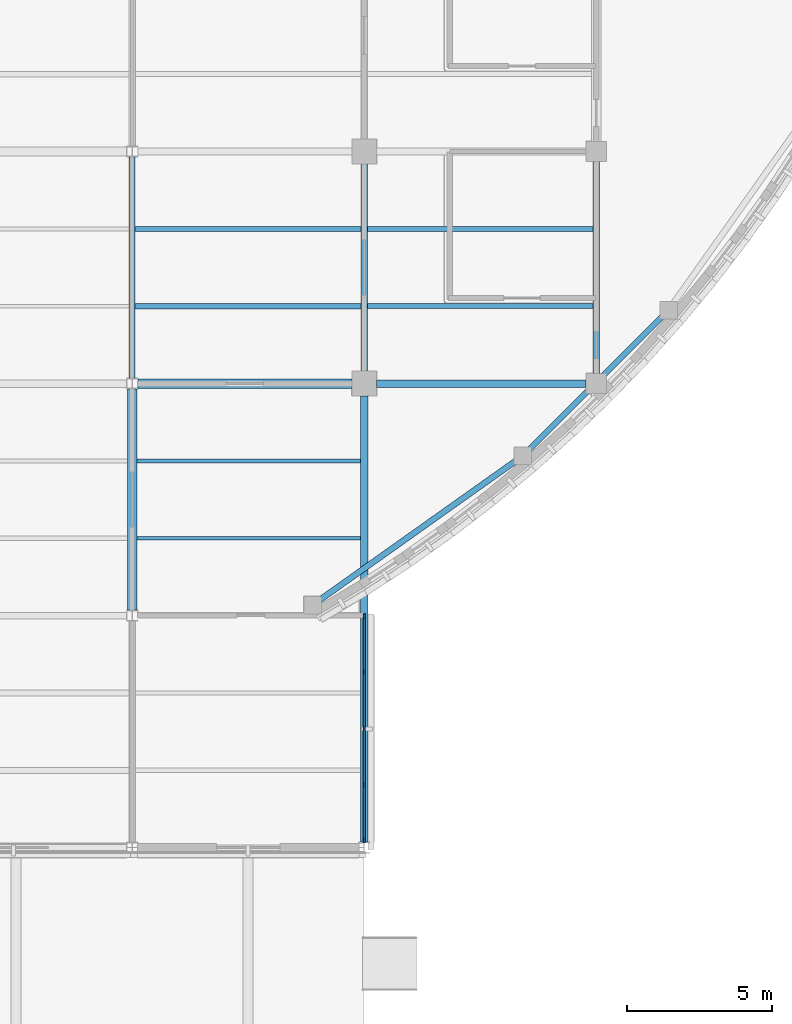
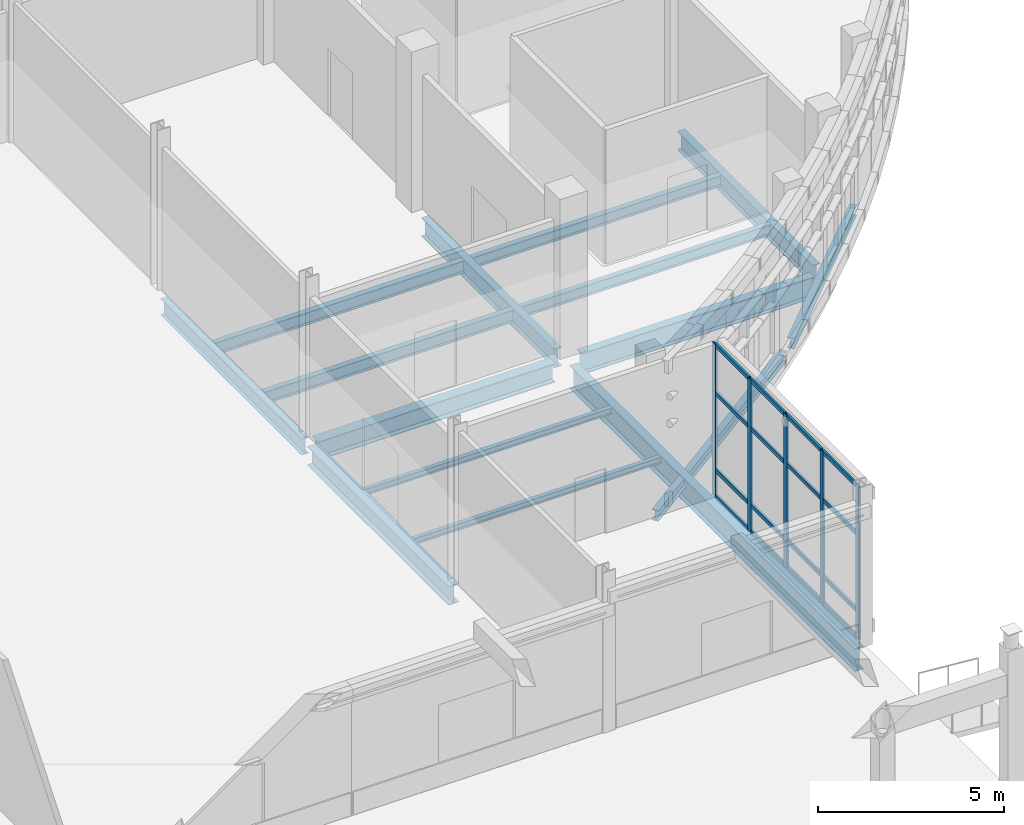
# One storey, part 19 of 105: 21 members, 15 beams, 1 element without a shape of its own.
"""IFC4 building model written with IfcOpenShell, lengths in metres."""

from ifc_helpers import new_model, si_unit, derived_unit, direction, frame, origin, origin_2d, place, context, subcontext, project, spatial, rectangle, i_section, extrude, material, layer, layer_set, material_profile, profile_set, type_object, element, aggregate, save


model = new_model("IFC4")

# Units and contexts
model_context = context("Model", 3, precision=1e-05, world=origin(), true_north=direction((0.0, 1.0)))
body_context = subcontext(model_context, "Body", "Model", "MODEL_VIEW")
ifc_project = project(units=[si_unit("LENGTHUNIT", "METRE"), si_unit("AREAUNIT", "SQUARE_METRE"), si_unit("VOLUMEUNIT", "CUBIC_METRE"), si_unit("PLANEANGLEUNIT", "RADIAN"), si_unit("MASSUNIT", "GRAM", prefix="KILO"), derived_unit("THERMALTRANSMITTANCEUNIT", [(si_unit("MASSUNIT", "GRAM", prefix="KILO"), 1), (si_unit("TIMEUNIT", "SECOND"), -3), (si_unit("THERMODYNAMICTEMPERATUREUNIT", "KELVIN"), -1)])], contexts=[model_context])

# Site, building, storey
site_placement = place(None, origin())
site = spatial("IfcSite", under=ifc_project, at=site_placement, CompositionType="ELEMENT")
building_placement = place(site_placement, origin())
building = spatial("IfcBuilding", under=site, at=building_placement, Name="Veyamyaing Civic Hall", CompositionType="ELEMENT")
storey_placement = place(building_placement, origin())
storey = spatial("IfcBuildingStorey", under=building, at=storey_placement, Name="L00", CompositionType="ELEMENT", Elevation=0.0)

# Beams
ifc_material_1 = material(Name="Steel ASTM A992", Category="steel")
ifc_material_profile_1 = material_profile(ifc_material_1, i_section(OverallWidth=0.256103515625, OverallDepth=0.693115234375, WebThickness=0.014404296875, FlangeThickness=0.023681640625, FilletRadius=0.013916015625, at=origin_2d()), Name="W690X170")
ifc_profile_set_1 = profile_set([ifc_material_profile_1], Name="Steel ASTM A992")
beam_type_1 = type_object("IfcBeamType", Name="B-04", PredefinedType="BEAM", material=ifc_profile_set_1)
beam_1_placement = place(storey_placement, frame((104.425048828125, 24.0, -0.611572265625), z_axis=(1.0, 0.0, 0.0), x_axis=(0.0, 1.0, 0.0)))
element("IfcBeam", 1, at=beam_1_placement, inside=storey, type_object=beam_type_1, Name="Girder B-04 L00 Grid D 14-15", PredefinedType="BEAM", context=body_context, shape_type="SweptSolid", body=[
    extrude(i_section(OverallWidth=0.256103515625, OverallDepth=0.693115234375, WebThickness=0.014404296875, FlangeThickness=0.023681640625, FilletRadius=0.013916015625, at=origin_2d()), origin(), (0.0, 0.0, 1.0), 7.224853515625),
])
ifc_material_profile_2 = material_profile(ifc_material_1, i_section(OverallWidth=0.22998046875, OverallDepth=0.616943359375, WebThickness=0.01318359375, FlangeThickness=0.022216796875, FilletRadius=0.012939453125, at=origin_2d()), Name="W610X140")
ifc_profile_set_2 = profile_set([ifc_material_profile_2], Name="Steel ASTM A992")
beam_type_2 = type_object("IfcBeamType", Name="B-05", PredefinedType="BEAM", material=ifc_profile_set_2)
beam_2_placement = place(storey_placement, frame((104.0, 24.425048828125, -0.573486328125), z_axis=(0.0, 1.0, 0.0), x_axis=(-1.0, 0.0, 0.0)))
element("IfcBeam", 2, at=beam_2_placement, inside=storey, type_object=beam_type_2, Name="Girder B-05 L00 Grid 14 D-E", PredefinedType="BEAM", context=body_context, shape_type="SweptSolid", body=[
    extrude(i_section(OverallWidth=0.22998046875, OverallDepth=0.616943359375, WebThickness=0.01318359375, FlangeThickness=0.022216796875, FilletRadius=0.012939453125, at=origin_2d()), origin(), (0.0, 0.0, 1.0), 7.14990234375),
])
ifc_material_profile_3 = material_profile(ifc_material_1, i_section(OverallWidth=0.22802734375, OverallDepth=0.60791015625, WebThickness=0.01123046875, FlangeThickness=0.017333984375, FilletRadius=0.012939453125, at=origin_2d()), Name="W610X113")
ifc_profile_set_3 = profile_set([ifc_material_profile_3], Name="Steel ASTM A992")
beam_type_3 = type_object("IfcBeamType", Name="B-06", PredefinedType="BEAM", material=ifc_profile_set_3)
beam_3_placement = place(storey_placement, frame((112.0, 24.35009765625, -0.569091796875), z_axis=(0.0, 1.0, 0.0), x_axis=(-1.0, 0.0, 0.0)))
element("IfcBeam", 3, at=beam_3_placement, inside=storey, type_object=beam_type_3, Name="Girder B-06 L00 Grid 15 D-E", PredefinedType="BEAM", context=body_context, shape_type="SweptSolid", body=[
    extrude(i_section(OverallWidth=0.22802734375, OverallDepth=0.60791015625, WebThickness=0.01123046875, FlangeThickness=0.017333984375, FilletRadius=0.012939453125, at=origin_2d()), origin(), (0.0, 0.0, 1.0), 7.2998046875),
])
ifc_material_profile_4 = material_profile(ifc_material_1, i_section(OverallWidth=0.2041015625, OverallDepth=0.35009765625, WebThickness=0.0078125, FlangeThickness=0.01513671875, FilletRadius=0.010009765625, at=origin_2d()), Name="W360X72")
ifc_profile_set_4 = profile_set([ifc_material_profile_4], Name="Steel ASTM A992")
beam_type_4 = type_object("IfcBeamType", Name="B-11", PredefinedType="SPANDREL", material=ifc_profile_set_4)
beam_4_placement = place(storey_placement, frame((102.46533203125, 16.537353515625, -0.449951171875), z_axis=(0.815567262109, 0.578662285773, 0.0), x_axis=(-0.578662285773, 0.815567262109, 0.0)))
element("IfcBeam", 4, at=beam_4_placement, inside=storey, type_object=beam_type_4, Name="Curved corner spandrel B-11 L00 SE.1", PredefinedType="SPANDREL", context=body_context, shape_type="SweptSolid", body=[
    extrude(i_section(OverallWidth=0.2041015625, OverallDepth=0.35009765625, WebThickness=0.0078125, FlangeThickness=0.01513671875, FilletRadius=0.010009765625, at=origin_2d()), origin(), (0.0, 0.0, 1.0), 8.284423828125),
])
beam_5_placement = place(storey_placement, frame((109.6787109375, 21.717041015625, -0.449951171875), z_axis=(0.707106781187, 0.707106781187, 0.0), x_axis=(-0.707106781187, 0.707106781187, 0.0)))
element("IfcBeam", 5, at=beam_5_placement, inside=storey, type_object=beam_type_4, Name="Curved corner spandrel B-11 L00 SE.2", PredefinedType="SPANDREL", context=body_context, shape_type="SweptSolid", body=[
    extrude(i_section(OverallWidth=0.2041015625, OverallDepth=0.35009765625, WebThickness=0.0078125, FlangeThickness=0.01513671875, FilletRadius=0.010009765625, at=origin_2d()), origin(), (0.0, 0.0, 1.0), 6.511474609375),
])
ifc_material_profile_5 = material_profile(ifc_material_1, i_section(OverallWidth=0.26611328125, OverallDepth=0.758056640625, WebThickness=0.013916015625, FlangeThickness=0.019287109375, FilletRadius=0.01611328125, at=origin_2d()), Name="W760X161")
ifc_profile_set_5 = profile_set([ifc_material_profile_5], Name="Steel ASTM A992")
beam_type_5 = type_object("IfcBeamType", Name="B-13", PredefinedType="BEAM", material=ifc_profile_set_5)
beam_6_placement = place(storey_placement, frame((104.0, 8.193603515625, -0.64404296875), z_axis=(0.0, 1.0, 0.0), x_axis=(-1.0, 0.0, 0.0)))
element("IfcBeam", 6, at=beam_6_placement, inside=storey, type_object=beam_type_5, Name="Girder B-13 L00 Grid 14 B-D", PredefinedType="BEAM", context=body_context, shape_type="SweptSolid", body=[
    extrude(i_section(OverallWidth=0.26611328125, OverallDepth=0.758056640625, WebThickness=0.013916015625, FlangeThickness=0.019287109375, FilletRadius=0.01611328125, at=origin_2d()), origin(), (0.0, 0.0, 1.0), 15.38134765625),
])
ifc_material_profile_6 = material_profile(ifc_material_1, i_section(OverallWidth=0.324951171875, OverallDepth=0.615966796875, WebThickness=0.013916015625, FlangeThickness=0.021484375, FilletRadius=0.013916015625, at=origin_2d()), Name="W610X174")
ifc_profile_set_6 = profile_set([ifc_material_profile_6], Name="Steel ASTM A992")
beam_type_6 = type_object("IfcBeamType", Name="B-15", PredefinedType="BEAM", material=ifc_profile_set_6)
beam_7_placement = place(storey_placement, frame((96.198974609375, 24.0, -0.572998046875), z_axis=(1.0, 0.0, 0.0), x_axis=(0.0, 1.0, 0.0)))
element("IfcBeam", 7, at=beam_7_placement, inside=storey, type_object=beam_type_6, Name="Girder B-15 L00 Grid D 13-14", PredefinedType="BEAM", context=body_context, shape_type="SweptSolid", body=[
    extrude(i_section(OverallWidth=0.324951171875, OverallDepth=0.615966796875, WebThickness=0.013916015625, FlangeThickness=0.021484375, FilletRadius=0.013916015625, at=origin_2d()), origin(), (0.0, 0.0, 1.0), 7.3759765625),
])
beam_8_placement = place(storey_placement, frame((96.0, 16.193603515625, -0.572998046875), z_axis=(0.0, 1.0, 0.0), x_axis=(-1.0, 0.0, 0.0)))
element("IfcBeam", 8, at=beam_8_placement, inside=storey, type_object=beam_type_6, Name="Girder B-15 L00 Grid 13 C-D", PredefinedType="BEAM", context=body_context, shape_type="SweptSolid", body=[
    extrude(i_section(OverallWidth=0.324951171875, OverallDepth=0.615966796875, WebThickness=0.013916015625, FlangeThickness=0.021484375, FilletRadius=0.013916015625, at=origin_2d()), origin(), (0.0, 0.0, 1.0), 7.61279296875),
])
ifc_material_profile_7 = material_profile(ifc_material_1, i_section(OverallWidth=0.214111328125, OverallDepth=0.549072265625, WebThickness=0.0146484375, FlangeThickness=0.023681640625, FilletRadius=0.011962890625, at=origin_2d()), Name="W530X138")
ifc_profile_set_7 = profile_set([ifc_material_profile_7], Name="Steel ASTM A992")
beam_type_7 = type_object("IfcBeamType", Name="B-16", PredefinedType="BEAM", material=ifc_profile_set_7)
beam_9_placement = place(storey_placement, frame((96.0, 24.193603515625, -0.53955078125), z_axis=(0.0, 1.0, 0.0), x_axis=(-1.0, 0.0, 0.0)))
element("IfcBeam", 9, at=beam_9_placement, inside=storey, type_object=beam_type_7, Name="Girder B-16 L00 Grid 13 D-E", PredefinedType="BEAM", context=body_context, shape_type="SweptSolid", body=[
    extrude(i_section(OverallWidth=0.214111328125, OverallDepth=0.549072265625, WebThickness=0.0146484375, FlangeThickness=0.023681640625, FilletRadius=0.011962890625, at=origin_2d()), origin(), (0.0, 0.0, 1.0), 7.61279296875),
])

# Curtain wall, members
ifc_material_2 = material(Name="Anodised aluminium 6063-T6", Category="aluminium")
ifc_layer = layer(ifc_material_2, 0.179931640625, Name="Anodised aluminium 6063-T6")
ifc_layer_set = layer_set([ifc_layer], Name="Anodised aluminium 6063-T6")
curtain_wall_type = type_object("IfcCurtainWallType", Name="CW-06", PredefinedType="NOTDEFINED", material=ifc_layer_set)
curtain_wall_placement = place(storey_placement, origin())
curtain_wall = element("IfcCurtainWall", 10, at=curtain_wall_placement, inside=storey, type_object=curtain_wall_type, Name="Unitized curtain wall CW-06 L00 E 13.2", PredefinedType="NOTDEFINED")
ifc_material_profile_8 = material_profile(ifc_material_2, rectangle(XDim=0.06494140625, YDim=0.179931640625, at=origin_2d()), Name="ALU-MUL-65X180")
ifc_profile_set_8 = profile_set([ifc_material_profile_8], Name="Anodised aluminium 6063-T6")
member_type_1 = type_object("IfcMemberType", Name="CWM-02", PredefinedType="MULLION", material=ifc_profile_set_8)
member_1_placement = place(storey_placement, frame((104.0, 8.256103515625, 0.0), z_axis=(0.0, 0.0, 1.0), x_axis=(-1.0, 0.0, 0.0)))
member_1 = element("IfcMember", 11, at=member_1_placement, type_object=member_type_1, Name="CW-06 mullion 1", PredefinedType="MULLION", context=body_context, shape_type="SweptSolid", body=[
    extrude(rectangle(XDim=0.06494140625, YDim=0.179931640625, at=origin_2d()), origin(), (0.0, 0.0, 1.0), 5.034912109375),
])
member_2_placement = place(storey_placement, frame((104.0, 10.167724609375, 0.0), z_axis=(0.0, 0.0, 1.0), x_axis=(-1.0, 0.0, 0.0)))
member_2 = element("IfcMember", 12, at=member_2_placement, type_object=member_type_1, Name="CW-06 mullion 2", PredefinedType="MULLION", context=body_context, shape_type="SweptSolid", body=[
    extrude(rectangle(XDim=0.06494140625, YDim=0.179931640625, at=origin_2d()), origin(), (0.0, 0.0, 1.0), 5.034912109375),
])
member_3_placement = place(storey_placement, frame((104.0, 12.11181640625, 0.0), z_axis=(0.0, 0.0, 1.0), x_axis=(-1.0, 0.0, 0.0)))
member_3 = element("IfcMember", 13, at=member_3_placement, type_object=member_type_1, Name="CW-06 mullion 3", PredefinedType="MULLION", context=body_context, shape_type="SweptSolid", body=[
    extrude(rectangle(XDim=0.06494140625, YDim=0.179931640625, at=origin_2d()), origin(), (0.0, 0.0, 1.0), 5.034912109375),
])
member_4_placement = place(storey_placement, frame((104.0, 14.055908203125, 0.0), z_axis=(0.0, 0.0, 1.0), x_axis=(-1.0, 0.0, 0.0)))
member_4 = element("IfcMember", 14, at=member_4_placement, type_object=member_type_1, Name="CW-06 mullion 4", PredefinedType="MULLION", context=body_context, shape_type="SweptSolid", body=[
    extrude(rectangle(XDim=0.06494140625, YDim=0.179931640625, at=origin_2d()), origin(), (0.0, 0.0, 1.0), 5.034912109375),
])
member_5_placement = place(storey_placement, frame((104.0, 15.967529296875, 0.0), z_axis=(0.0, 0.0, 1.0), x_axis=(-1.0, 0.0, 0.0)))
member_5 = element("IfcMember", 15, at=member_5_placement, type_object=member_type_1, Name="CW-06 mullion 5", PredefinedType="MULLION", context=body_context, shape_type="SweptSolid", body=[
    extrude(rectangle(XDim=0.06494140625, YDim=0.179931640625, at=origin_2d()), origin(), (0.0, 0.0, 1.0), 5.034912109375),
])
ifc_material_profile_9 = material_profile(ifc_material_2, rectangle(XDim=0.06494140625, YDim=0.139892578125, at=origin_2d()), Name="ALU-TRN-65X140")
ifc_profile_set_9 = profile_set([ifc_material_profile_9], Name="Anodised aluminium 6063-T6")
member_type_2 = type_object("IfcMemberType", Name="CWT-02", PredefinedType="USERDEFINED", material=ifc_profile_set_9)
member_6_placement = place(storey_placement, frame((104.0, 8.28857421875, 0.032470703125), z_axis=(0.0, 1.0, 0.0), x_axis=(-1.0, 0.0, 0.0)))
member_6 = element("IfcMember", 16, at=member_6_placement, type_object=member_type_2, Name="CW-06 transom 1.1", ObjectType="TRANSOM", PredefinedType="USERDEFINED", context=body_context, shape_type="SweptSolid", body=[
    extrude(rectangle(XDim=0.06494140625, YDim=0.139892578125, at=origin_2d()), origin(), (0.0, 0.0, 1.0), 1.846435546875),
])
member_7_placement = place(storey_placement, frame((104.0, 8.28857421875, 0.89990234375), z_axis=(0.0, 1.0, 0.0), x_axis=(-1.0, 0.0, 0.0)))
member_7 = element("IfcMember", 17, at=member_7_placement, type_object=member_type_2, Name="CW-06 transom 1.2", ObjectType="TRANSOM", PredefinedType="USERDEFINED", context=body_context, shape_type="SweptSolid", body=[
    extrude(rectangle(XDim=0.06494140625, YDim=0.139892578125, at=origin_2d()), origin(), (0.0, 0.0, 1.0), 1.846435546875),
])
member_8_placement = place(storey_placement, frame((104.0, 8.28857421875, 3.423828125), z_axis=(0.0, 1.0, 0.0), x_axis=(-1.0, 0.0, 0.0)))
member_8 = element("IfcMember", 18, at=member_8_placement, type_object=member_type_2, Name="CW-06 transom 1.3", ObjectType="TRANSOM", PredefinedType="USERDEFINED", context=body_context, shape_type="SweptSolid", body=[
    extrude(rectangle(XDim=0.06494140625, YDim=0.139892578125, at=origin_2d()), origin(), (0.0, 0.0, 1.0), 1.846435546875),
])
member_9_placement = place(storey_placement, frame((104.0, 8.28857421875, 5.00244140625), z_axis=(0.0, 1.0, 0.0), x_axis=(-1.0, 0.0, 0.0)))
member_9 = element("IfcMember", 19, at=member_9_placement, type_object=member_type_2, Name="CW-06 transom 1.4", ObjectType="TRANSOM", PredefinedType="USERDEFINED", context=body_context, shape_type="SweptSolid", body=[
    extrude(rectangle(XDim=0.06494140625, YDim=0.139892578125, at=origin_2d()), origin(), (0.0, 0.0, 1.0), 1.846435546875),
])
member_10_placement = place(storey_placement, frame((104.0, 10.2001953125, 0.032470703125), z_axis=(0.0, 1.0, 0.0), x_axis=(-1.0, 0.0, 0.0)))
member_10 = element("IfcMember", 20, at=member_10_placement, type_object=member_type_2, Name="CW-06 transom 2.1", ObjectType="TRANSOM", PredefinedType="USERDEFINED", context=body_context, shape_type="SweptSolid", body=[
    extrude(rectangle(XDim=0.06494140625, YDim=0.139892578125, at=origin_2d()), origin(), (0.0, 0.0, 1.0), 1.879150390625),
])
member_11_placement = place(storey_placement, frame((104.0, 10.2001953125, 0.89990234375), z_axis=(0.0, 1.0, 0.0), x_axis=(-1.0, 0.0, 0.0)))
member_11 = element("IfcMember", 21, at=member_11_placement, type_object=member_type_2, Name="CW-06 transom 2.2", ObjectType="TRANSOM", PredefinedType="USERDEFINED", context=body_context, shape_type="SweptSolid", body=[
    extrude(rectangle(XDim=0.06494140625, YDim=0.139892578125, at=origin_2d()), origin(), (0.0, 0.0, 1.0), 1.879150390625),
])
member_12_placement = place(storey_placement, frame((104.0, 10.2001953125, 3.423828125), z_axis=(0.0, 1.0, 0.0), x_axis=(-1.0, 0.0, 0.0)))
member_12 = element("IfcMember", 22, at=member_12_placement, type_object=member_type_2, Name="CW-06 transom 2.3", ObjectType="TRANSOM", PredefinedType="USERDEFINED", context=body_context, shape_type="SweptSolid", body=[
    extrude(rectangle(XDim=0.06494140625, YDim=0.139892578125, at=origin_2d()), origin(), (0.0, 0.0, 1.0), 1.879150390625),
])
member_13_placement = place(storey_placement, frame((104.0, 10.2001953125, 5.00244140625), z_axis=(0.0, 1.0, 0.0), x_axis=(-1.0, 0.0, 0.0)))
member_13 = element("IfcMember", 23, at=member_13_placement, type_object=member_type_2, Name="CW-06 transom 2.4", ObjectType="TRANSOM", PredefinedType="USERDEFINED", context=body_context, shape_type="SweptSolid", body=[
    extrude(rectangle(XDim=0.06494140625, YDim=0.139892578125, at=origin_2d()), origin(), (0.0, 0.0, 1.0), 1.879150390625),
])
member_14_placement = place(storey_placement, frame((104.0, 12.144287109375, 0.032470703125), z_axis=(0.0, 1.0, 0.0), x_axis=(-1.0, 0.0, 0.0)))
member_14 = element("IfcMember", 24, at=member_14_placement, type_object=member_type_2, Name="CW-06 transom 3.1", ObjectType="TRANSOM", PredefinedType="USERDEFINED", context=body_context, shape_type="SweptSolid", body=[
    extrude(rectangle(XDim=0.06494140625, YDim=0.139892578125, at=origin_2d()), origin(), (0.0, 0.0, 1.0), 1.879150390625),
])
member_15_placement = place(storey_placement, frame((104.0, 12.144287109375, 0.89990234375), z_axis=(0.0, 1.0, 0.0), x_axis=(-1.0, 0.0, 0.0)))
member_15 = element("IfcMember", 25, at=member_15_placement, type_object=member_type_2, Name="CW-06 transom 3.2", ObjectType="TRANSOM", PredefinedType="USERDEFINED", context=body_context, shape_type="SweptSolid", body=[
    extrude(rectangle(XDim=0.06494140625, YDim=0.139892578125, at=origin_2d()), origin(), (0.0, 0.0, 1.0), 1.879150390625),
])
member_16_placement = place(storey_placement, frame((104.0, 12.144287109375, 3.423828125), z_axis=(0.0, 1.0, 0.0), x_axis=(-1.0, 0.0, 0.0)))
member_16 = element("IfcMember", 26, at=member_16_placement, type_object=member_type_2, Name="CW-06 transom 3.3", ObjectType="TRANSOM", PredefinedType="USERDEFINED", context=body_context, shape_type="SweptSolid", body=[
    extrude(rectangle(XDim=0.06494140625, YDim=0.139892578125, at=origin_2d()), origin(), (0.0, 0.0, 1.0), 1.879150390625),
])
member_17_placement = place(storey_placement, frame((104.0, 12.144287109375, 5.00244140625), z_axis=(0.0, 1.0, 0.0), x_axis=(-1.0, 0.0, 0.0)))
member_17 = element("IfcMember", 27, at=member_17_placement, type_object=member_type_2, Name="CW-06 transom 3.4", ObjectType="TRANSOM", PredefinedType="USERDEFINED", context=body_context, shape_type="SweptSolid", body=[
    extrude(rectangle(XDim=0.06494140625, YDim=0.139892578125, at=origin_2d()), origin(), (0.0, 0.0, 1.0), 1.879150390625),
])
member_18_placement = place(storey_placement, frame((104.0, 14.08837890625, 0.032470703125), z_axis=(0.0, 1.0, 0.0), x_axis=(-1.0, 0.0, 0.0)))
member_18 = element("IfcMember", 28, at=member_18_placement, type_object=member_type_2, Name="CW-06 transom 4.1", ObjectType="TRANSOM", PredefinedType="USERDEFINED", context=body_context, shape_type="SweptSolid", body=[
    extrude(rectangle(XDim=0.06494140625, YDim=0.139892578125, at=origin_2d()), origin(), (0.0, 0.0, 1.0), 1.8466796875),
])
member_19_placement = place(storey_placement, frame((104.0, 14.08837890625, 0.89990234375), z_axis=(0.0, 1.0, 0.0), x_axis=(-1.0, 0.0, 0.0)))
member_19 = element("IfcMember", 29, at=member_19_placement, type_object=member_type_2, Name="CW-06 transom 4.2", ObjectType="TRANSOM", PredefinedType="USERDEFINED", context=body_context, shape_type="SweptSolid", body=[
    extrude(rectangle(XDim=0.06494140625, YDim=0.139892578125, at=origin_2d()), origin(), (0.0, 0.0, 1.0), 1.8466796875),
])
member_20_placement = place(storey_placement, frame((104.0, 14.08837890625, 3.423828125), z_axis=(0.0, 1.0, 0.0), x_axis=(-1.0, 0.0, 0.0)))
member_20 = element("IfcMember", 30, at=member_20_placement, type_object=member_type_2, Name="CW-06 transom 4.3", ObjectType="TRANSOM", PredefinedType="USERDEFINED", context=body_context, shape_type="SweptSolid", body=[
    extrude(rectangle(XDim=0.06494140625, YDim=0.139892578125, at=origin_2d()), origin(), (0.0, 0.0, 1.0), 1.8466796875),
])
member_21_placement = place(storey_placement, frame((104.0, 14.08837890625, 5.00244140625), z_axis=(0.0, 1.0, 0.0), x_axis=(-1.0, 0.0, 0.0)))
member_21 = element("IfcMember", 31, at=member_21_placement, type_object=member_type_2, Name="CW-06 transom 4.4", ObjectType="TRANSOM", PredefinedType="USERDEFINED", context=body_context, shape_type="SweptSolid", body=[
    extrude(rectangle(XDim=0.06494140625, YDim=0.139892578125, at=origin_2d()), origin(), (0.0, 0.0, 1.0), 1.8466796875),
])
aggregate(curtain_wall, [member_1, member_2, member_3, member_4, member_5, member_6, member_7, member_8, member_9, member_10, member_11, member_12, member_13, member_14, member_15, member_16, member_17, member_18, member_19, member_20, member_21])

# Beams
ifc_material_profile_10 = material_profile(ifc_material_1, i_section(OverallWidth=0.177978515625, OverallDepth=0.406982421875, WebThickness=0.0078125, FlangeThickness=0.0126953125, FilletRadius=0.010009765625, at=origin_2d()), Name="W410X60")
ifc_profile_set_10 = profile_set([ifc_material_profile_10], Name="Steel ASTM A992")
beam_type_8 = type_object("IfcBeamType", Name="J-01", PredefinedType="JOIST", material=ifc_profile_set_10)
for number, where, z_axis, x_axis, name in (
    (32, (96.10498046875, 26.666748046875, -0.468505859375), (1.0, 0.0, 0.0), (0.0, 1.0, 0.0), "Composite floor joist J-01 L00 13.4.1"),
    (33, (96.10498046875, 29.333251953125, -0.468505859375), (1.0, 0.0, 0.0), (0.0, 1.0, 0.0), "Composite floor joist J-01 L00 13.4.2"),
):
    element("IfcBeam", number, at=place(storey_placement, frame(where, z_axis=z_axis, x_axis=x_axis)), inside=storey, type_object=beam_type_8, Name=name, PredefinedType="JOIST", context=body_context, shape_type="SweptSolid", body=[
        extrude(i_section(OverallWidth=0.177978515625, OverallDepth=0.406982421875, WebThickness=0.0078125, FlangeThickness=0.0126953125, FilletRadius=0.010009765625, at=origin_2d()), origin(), (0.0, 0.0, 1.0), 7.781982421875),
    ])
ifc_material_profile_11 = material_profile(ifc_material_1, i_section(OverallWidth=0.172119140625, OverallDepth=0.35791015625, WebThickness=0.0078125, FlangeThickness=0.01318359375, FilletRadius=0.010009765625, at=origin_2d()), Name="W360X57")
ifc_profile_set_11 = profile_set([ifc_material_profile_11], Name="Steel ASTM A992")
beam_type_9 = type_object("IfcBeamType", Name="J-02", PredefinedType="JOIST", material=ifc_profile_set_11)
for number, where, z_axis, x_axis, name in (
    (34, (104.113037109375, 26.666748046875, -0.444091796875), (1.0, 0.0, 0.0), (0.0, 1.0, 0.0), "Composite floor joist J-02 L00 14.4.1"),
    (35, (104.113037109375, 29.333251953125, -0.444091796875), (1.0, 0.0, 0.0), (0.0, 1.0, 0.0), "Composite floor joist J-02 L00 14.4.2"),
):
    element("IfcBeam", number, at=place(storey_placement, frame(where, z_axis=z_axis, x_axis=x_axis)), inside=storey, type_object=beam_type_9, Name=name, PredefinedType="JOIST", context=body_context, shape_type="SweptSolid", body=[
        extrude(i_section(OverallWidth=0.172119140625, OverallDepth=0.35791015625, WebThickness=0.0078125, FlangeThickness=0.01318359375, FilletRadius=0.010009765625, at=origin_2d()), origin(), (0.0, 0.0, 1.0), 7.77490234375),
    ])
ifc_material_profile_12 = material_profile(ifc_material_1, i_section(OverallWidth=0.133056640625, OverallDepth=0.20703125, WebThickness=0.005859375, FlangeThickness=0.00830078125, FilletRadius=0.010009765625, at=origin_2d()), Name="W200X27")
ifc_profile_set_12 = profile_set([ifc_material_profile_12], Name="Steel ASTM A992")
beam_type_10 = type_object("IfcBeamType", Name="J-08", PredefinedType="JOIST", material=ifc_profile_set_12)
for number, where, z_axis, x_axis, name in (
    (36, (96.160400390625, 18.666748046875, -0.368408203125), (1.0, 0.0, 0.0), (0.0, 1.0, 0.0), "Composite floor joist J-08 L00 13.3.1"),
    (37, (96.160400390625, 21.333251953125, -0.368408203125), (1.0, 0.0, 0.0), (0.0, 1.0, 0.0), "Composite floor joist J-08 L00 13.3.2"),
):
    element("IfcBeam", number, at=place(storey_placement, frame(where, z_axis=z_axis, x_axis=x_axis)), inside=storey, type_object=beam_type_10, Name=name, PredefinedType="JOIST", context=body_context, shape_type="SweptSolid", body=[
        extrude(i_section(OverallWidth=0.133056640625, OverallDepth=0.20703125, WebThickness=0.005859375, FlangeThickness=0.00830078125, FilletRadius=0.010009765625, at=origin_2d()), origin(), (0.0, 0.0, 1.0), 7.70849609375),
    ])

save(model, "model.ifc")
